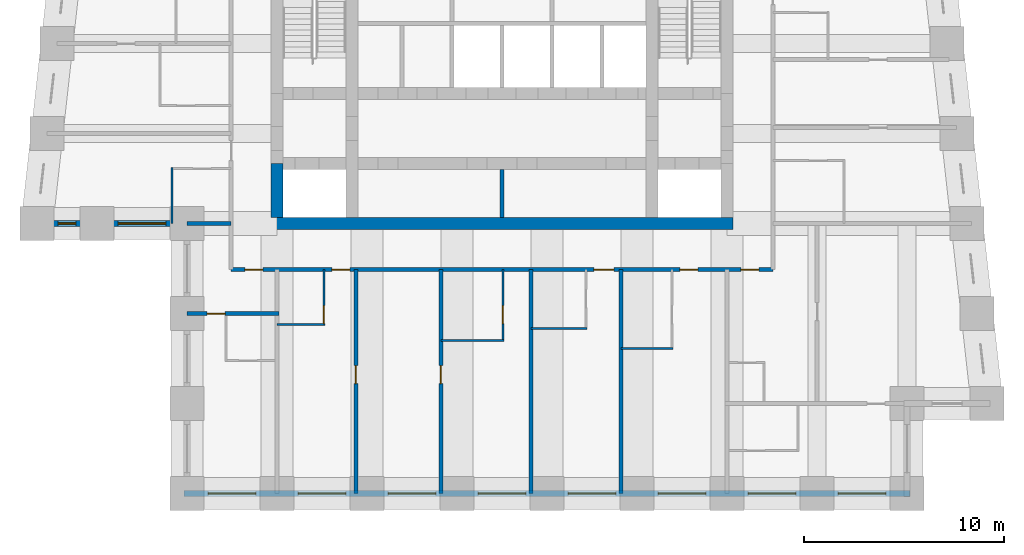
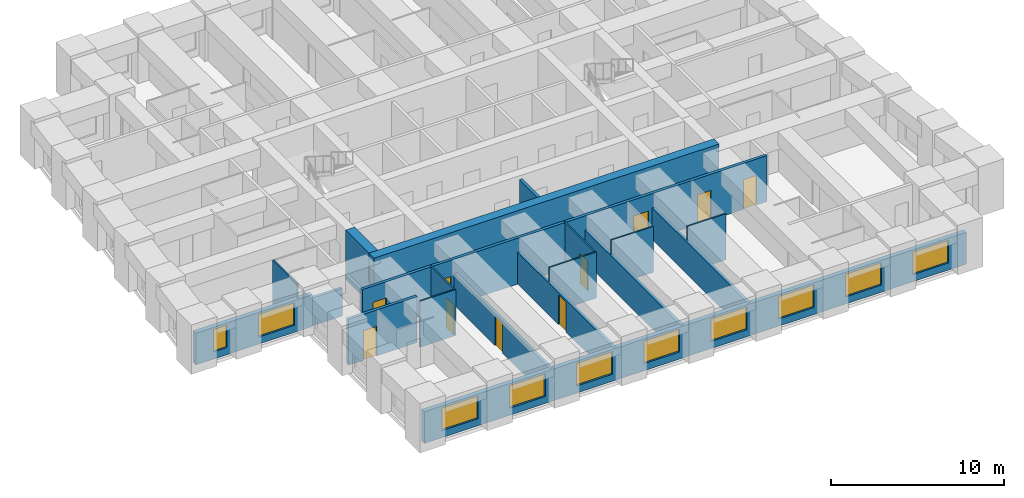
# One storey, part 2 of 8: 19 walls, 10 doors, 10 windows, 20 openings.
"""IFC4 building model written with IfcOpenShell, lengths in metres."""

from ifc_helpers import new_model, si_unit, direction, frame, frame_2d, origin, place, context, subcontext, project, spatial, rectangle, extrude, material, layer, layer_set, type_object, element, fill, save


model = new_model("IFC4")

# Units and contexts
model_context = context("Model", 3, precision=1e-05, world=origin(), true_north=direction((0.0, 1.0)))
body_context = subcontext(model_context, "Body", "Model", "MODEL_VIEW")
ifc_project = project(units=[si_unit("LENGTHUNIT", "METRE"), si_unit("AREAUNIT", "SQUARE_METRE"), si_unit("VOLUMEUNIT", "CUBIC_METRE"), si_unit("PLANEANGLEUNIT", "RADIAN"), si_unit("MASSUNIT", "GRAM", prefix="KILO")], contexts=[model_context])

# Site, building, storey
site_placement = place(None, origin())
site = spatial("IfcSite", under=ifc_project, at=site_placement, CompositionType="ELEMENT")
building_placement = place(site_placement, origin())
building = spatial("IfcBuilding", under=site, at=building_placement, Name="Kilele Tower Hotel", CompositionType="ELEMENT")
storey_placement = place(building_placement, frame((0.0, 0.0, 176.39990234375)))
storey = spatial("IfcBuildingStorey", under=building, at=storey_placement, Name="L45", CompositionType="ELEMENT", Elevation=176.39990234375)

# Wall
ifc_material_1 = material(Name="Moisture-resistant board")
ifc_layer_1 = layer(ifc_material_1, 0.10009765625)
ifc_layer_set_1 = layer_set([ifc_layer_1], Name="Moisture-resistant board")
wall_type_1 = type_object("IfcWallType", Name="Bathroom partition 100", PredefinedType="PLUMBINGWALL", material=ifc_layer_set_1)
wall_1_placement = place(storey_placement, frame((13.5, 8.449951171875, 0.0), z_axis=(0.0, 0.0, 1.0), x_axis=(1.0, 0.0, 0.0)))
element("IfcWall", 1, at=wall_1_placement, inside=storey, type_object=wall_type_1, Name="Bathroom partition 100 L45", PredefinedType="PLUMBINGWALL", context=body_context, shape_type="SweptSolid", body=[
    extrude(rectangle(XDim=2.39990234375, YDim=0.10009765625, at=frame_2d((1.199951171875, 0.0))), origin(), (0.0, 0.0, 1.0), 3.25),
])

# Wall, opening, door
wall_2_placement = place(storey_placement, frame((15.85009765625, 11.199951171875, 0.0), z_axis=(0.0, 0.0, 1.0), x_axis=(0.0, -1.0, 0.0)))
wall_2 = element("IfcWall", 2, at=wall_2_placement, inside=storey, type_object=wall_type_1, Name="Bathroom partition 100 L45", PredefinedType="PLUMBINGWALL", context=body_context, shape_type="SweptSolid", body=[
    extrude(rectangle(XDim=2.800048828125, YDim=0.10009765625, at=frame_2d((1.39990234375, 0.0))), origin(), (0.0, 0.0, 1.0), 3.25),
])
opening_1_placement = place(wall_2_placement, frame((1.800048828125, 0.0, 0.0)))
opening_1 = element("IfcOpeningElement", 3, at=opening_1_placement, cuts=wall_2, Name="Opening D2A", PredefinedType="OPENING", context=body_context, shape_type="SweptSolid", body=[
    extrude(rectangle(XDim=0.89990234375, YDim=2.10009765625, at=frame_2d((0.449951171875, 1.050048828125))), frame((0.0, 0.06005859375, 0.0), z_axis=(0.0, -1.0, 0.0), x_axis=(1.0, 0.0, 0.0)), (0.0, 0.0, 1.0), 0.1201171875),
])
ifc_material_2 = material(Name="Timber door leaf in hardwood frame", Category="wood")
door_type_1 = type_object("IfcDoorType", Name="Bathroom door 900", OperationType="SINGLE_SWING_LEFT", PredefinedType="DOOR", material=ifc_material_2)
door_1_placement = place(opening_1_placement, origin())
door_1 = element("IfcDoor", 4, at=door_1_placement, inside=storey, type_object=door_type_1, Name="Bathroom door 4501B", OperationType="SINGLE_SWING_RIGHT", OverallHeight=2.10009765625, OverallWidth=0.89990234375, PredefinedType="DOOR", context=body_context, shape_type="SweptSolid", body=[
    extrude(rectangle(XDim=0.89990234375, YDim=2.10009765625, at=frame_2d((0.449951171875, 1.050048828125))), frame((0.0, 0.02490234375, 0.0), z_axis=(0.0, -1.0, 0.0), x_axis=(1.0, 0.0, 0.0)), (0.0, 0.0, 1.0), 0.050048828125),
])
fill(opening_1, door_1)

# Wall
wall_3_placement = place(storey_placement, frame((21.699951171875, 7.64990234375, 0.0), z_axis=(0.0, 0.0, 1.0), x_axis=(1.0, 0.0, 0.0)))
element("IfcWall", 5, at=wall_3_placement, inside=storey, type_object=wall_type_1, Name="Bathroom partition 100 L45", PredefinedType="PLUMBINGWALL", context=body_context, shape_type="SweptSolid", body=[
    extrude(rectangle(XDim=3.150146484375, YDim=0.10009765625, at=frame_2d((1.5751953125, 0.0))), origin(), (0.0, 0.0, 1.0), 3.25),
])

# Wall, opening, door
wall_4_placement = place(storey_placement, frame((24.800048828125, 11.199951171875, 0.0), z_axis=(0.0, 0.0, 1.0), x_axis=(0.0, -1.0, 0.0)))
wall_4 = element("IfcWall", 6, at=wall_4_placement, inside=storey, type_object=wall_type_1, Name="Bathroom partition 100 L45", PredefinedType="PLUMBINGWALL", context=body_context, shape_type="SweptSolid", body=[
    extrude(rectangle(XDim=3.599853515625, YDim=0.10009765625, at=frame_2d((1.7998046875, 0.0))), origin(), (0.0, 0.0, 1.0), 3.25),
])
opening_2_placement = place(wall_4_placement, frame((1.800048828125, 0.0, 0.0)))
opening_2 = element("IfcOpeningElement", 7, at=opening_2_placement, cuts=wall_4, Name="Opening D2A", PredefinedType="OPENING", context=body_context, shape_type="SweptSolid", body=[
    extrude(rectangle(XDim=0.89990234375, YDim=2.10009765625, at=frame_2d((0.449951171875, 1.050048828125))), frame((0.0, 0.06005859375, 0.0), z_axis=(0.0, -1.0, 0.0), x_axis=(1.0, 0.0, 0.0)), (0.0, 0.0, 1.0), 0.1201171875),
])
door_2_placement = place(opening_2_placement, origin())
door_2 = element("IfcDoor", 8, at=door_2_placement, inside=storey, type_object=door_type_1, Name="Bathroom door 4503B", OperationType="SINGLE_SWING_RIGHT", OverallHeight=2.10009765625, OverallWidth=0.89990234375, PredefinedType="DOOR", context=body_context, shape_type="SweptSolid", body=[
    extrude(rectangle(XDim=0.89990234375, YDim=2.10009765625, at=frame_2d((0.449951171875, 1.050048828125))), frame((0.0, 0.02490234375, 0.0), z_axis=(0.0, -1.0, 0.0), x_axis=(1.0, 0.0, 0.0)), (0.0, 0.0, 1.0), 0.050048828125),
])
fill(opening_2, door_2)

# Walls
wall_5_placement = place(storey_placement, frame((26.199951171875, 8.25, 0.0), z_axis=(0.0, 0.0, 1.0), x_axis=(1.0, 0.0, 0.0)))
element("IfcWall", 9, at=wall_5_placement, inside=storey, type_object=wall_type_1, Name="Bathroom partition 100 L45", PredefinedType="PLUMBINGWALL", context=body_context, shape_type="SweptSolid", body=[
    extrude(rectangle(XDim=2.800048828125, YDim=0.10009765625, at=frame_2d((1.39990234375, 0.0))), origin(), (0.0, 0.0, 1.0), 3.25),
])
wall_6_placement = place(storey_placement, frame((30.699951171875, 7.25, 0.0), z_axis=(0.0, 0.0, 1.0), x_axis=(1.0, 0.0, 0.0)))
element("IfcWall", 10, at=wall_6_placement, inside=storey, type_object=wall_type_1, Name="Bathroom partition 100 L45", PredefinedType="PLUMBINGWALL", context=body_context, shape_type="SweptSolid", body=[
    extrude(rectangle(XDim=2.60009765625, YDim=0.10009765625, at=frame_2d((1.300048828125, 0.0))), origin(), (0.0, 0.0, 1.0), 3.25),
])
wall_7_placement = place(storey_placement, frame((8.25, 13.5, 0.0), z_axis=(0.0, 0.0, 1.0), x_axis=(0.0, 1.0, 0.0)))
element("IfcWall", 11, at=wall_7_placement, inside=storey, type_object=wall_type_1, Name="Bathroom partition 100 L45", PredefinedType="PLUMBINGWALL", context=body_context, shape_type="SweptSolid", body=[
    extrude(rectangle(XDim=2.800048828125, YDim=0.10009765625, at=frame_2d((1.39990234375, 0.0))), origin(), (0.0, 0.0, 1.0), 3.25),
])
ifc_material_3 = material(Name="Concrete C70/85", Category="concrete")
ifc_layer_2 = layer(ifc_material_3, 0.60009765625)
ifc_layer_set_2 = layer_set([ifc_layer_2], Name="Concrete C70/85")
wall_type_2 = type_object("IfcWallType", Name="Core wall 600 C70/85", PredefinedType="SHEAR", material=ifc_layer_set_2)
wall_8_placement = place(storey_placement, frame((13.199951171875, 13.5, 0.0), z_axis=(0.0, 0.0, 1.0), x_axis=(1.0, 0.0, 0.0)))
element("IfcWall", 12, at=wall_8_placement, inside=storey, type_object=wall_type_2, Name="Core wall S L45", PredefinedType="SHEAR", context=body_context, shape_type="SweptSolid", body=[
    extrude(rectangle(XDim=23.10009765625, YDim=0.60009765625, at=frame_2d((11.550048828125, 0.0))), origin(), (0.0, 0.0, 1.0), 3.5),
])
wall_9_placement = place(storey_placement, frame((13.5, 16.5, 0.0), z_axis=(0.0, 0.0, 1.0), x_axis=(0.0, -1.0, 0.0)))
element("IfcWall", 13, at=wall_9_placement, inside=storey, type_object=wall_type_2, Name="Core wall W3 L45", PredefinedType="SHEAR", context=body_context, shape_type="SweptSolid", body=[
    extrude(rectangle(XDim=2.699951171875, YDim=0.60009765625, at=frame_2d((1.35009765625, 0.0))), origin(), (0.0, 0.0, 1.0), 3.5),
])

# Wall, openings, doors
ifc_material_4 = material(Name="Blockwork, plastered both sides", Category="masonry")
ifc_layer_3 = layer(ifc_material_4, 0.199951171875)
ifc_layer_set_3 = layer_set([ifc_layer_3], Name="Blockwork, plastered both sides")
wall_type_3 = type_object("IfcWallType", Name="Corridor wall 200", PredefinedType="PARTITIONING", material=ifc_layer_set_3)
wall_10_placement = place(storey_placement, frame((11.199951171875, 11.199951171875, 0.0), z_axis=(0.0, 0.0, 1.0), x_axis=(1.0, 0.0, 0.0)))
wall_10 = element("IfcWall", 14, at=wall_10_placement, inside=storey, type_object=wall_type_3, Name="Corridor wall 200 L45", PredefinedType="PARTITIONING", context=body_context, shape_type="SweptSolid", body=[
    extrude(rectangle(XDim=27.10009765625, YDim=0.199951171875, at=frame_2d((13.550048828125, 0.0))), origin(), (0.0, 0.0, 1.0), 3.25),
])
opening_3_placement = place(wall_10_placement, frame((5.949951171875, 0.0, 0.0), z_axis=(0.0, 0.0, 1.0), x_axis=(-1.0, 0.0, 0.0)))
opening_3 = element("IfcOpeningElement", 15, at=opening_3_placement, cuts=wall_10, Name="Opening D1", PredefinedType="OPENING", context=body_context, shape_type="SweptSolid", body=[
    extrude(rectangle(XDim=0.89990234375, YDim=2.10009765625, at=frame_2d((0.449951171875, 1.050048828125))), frame((0.0, 0.10986328125, 0.0), z_axis=(0.0, -1.0, 0.0), x_axis=(1.0, 0.0, 0.0)), (0.0, 0.0, 1.0), 0.219970703125),
])
opening_4_placement = place(wall_10_placement, frame((19.14990234375, 0.0, 0.0), z_axis=(0.0, 0.0, 1.0), x_axis=(-1.0, 0.0, 0.0)))
opening_4 = element("IfcOpeningElement", 16, at=opening_4_placement, cuts=wall_10, Name="Opening D1A", PredefinedType="OPENING", context=body_context, shape_type="SweptSolid", body=[
    extrude(rectangle(XDim=1.0, YDim=2.10009765625, at=frame_2d((0.5, 1.050048828125))), frame((0.0, 0.10986328125, 0.0), z_axis=(0.0, -1.0, 0.0), x_axis=(1.0, 0.0, 0.0)), (0.0, 0.0, 1.0), 0.219970703125),
])
opening_5_placement = place(wall_10_placement, frame((23.349853515625, 0.0, 0.0), z_axis=(0.0, 0.0, 1.0), x_axis=(-1.0, 0.0, 0.0)))
opening_5 = element("IfcOpeningElement", 17, at=opening_5_placement, cuts=wall_10, Name="Opening D1", PredefinedType="OPENING", context=body_context, shape_type="SweptSolid", body=[
    extrude(rectangle(XDim=0.89990234375, YDim=2.10009765625, at=frame_2d((0.449951171875, 1.050048828125))), frame((0.0, 0.10986328125, 0.0), z_axis=(0.0, -1.0, 0.0), x_axis=(1.0, 0.0, 0.0)), (0.0, 0.0, 1.0), 0.219970703125),
])
opening_6_placement = place(wall_10_placement, frame((1.599853515625, 0.0, 0.0), z_axis=(0.0, 0.0, 1.0), x_axis=(-1.0, 0.0, 0.0)))
opening_6 = element("IfcOpeningElement", 18, at=opening_6_placement, cuts=wall_10, Name="Opening D1", PredefinedType="OPENING", context=body_context, shape_type="SweptSolid", body=[
    extrude(rectangle(XDim=0.89990234375, YDim=2.10009765625, at=frame_2d((0.449951171875, 1.050048828125))), frame((0.0, 0.10986328125, 0.0), z_axis=(0.0, -1.0, 0.0), x_axis=(1.0, 0.0, 0.0)), (0.0, 0.0, 1.0), 0.219970703125),
])
opening_7_placement = place(wall_10_placement, frame((26.39990234375, 0.0, 0.0), z_axis=(0.0, 0.0, 1.0), x_axis=(-1.0, 0.0, 0.0)))
opening_7 = element("IfcOpeningElement", 19, at=opening_7_placement, cuts=wall_10, Name="Opening D1", PredefinedType="OPENING", context=body_context, shape_type="SweptSolid", body=[
    extrude(rectangle(XDim=0.89990234375, YDim=2.10009765625, at=frame_2d((0.449951171875, 1.050048828125))), frame((0.0, 0.10986328125, 0.0), z_axis=(0.0, -1.0, 0.0), x_axis=(1.0, 0.0, 0.0)), (0.0, 0.0, 1.0), 0.219970703125),
])
ifc_material_5 = material(Name="Timber door leaf in hardwood frame", Category="wood")
door_type_2 = type_object("IfcDoorType", Name="Guest room entrance door 1000", OperationType="SINGLE_SWING_LEFT", PredefinedType="DOOR", material=ifc_material_5)
door_3_placement = place(opening_4_placement, origin())
door_3 = element("IfcDoor", 20, at=door_3_placement, inside=storey, type_object=door_type_2, Name="Room entrance 4504", OperationType="SINGLE_SWING_LEFT", OverallHeight=2.10009765625, OverallWidth=1.0, PredefinedType="DOOR", context=body_context, shape_type="SweptSolid", body=[
    extrude(rectangle(XDim=1.0, YDim=2.10009765625, at=frame_2d((0.5, 1.050048828125))), frame((0.0, 0.02490234375, 0.0), z_axis=(0.0, -1.0, 0.0), x_axis=(1.0, 0.0, 0.0)), (0.0, 0.0, 1.0), 0.050048828125),
])
fill(opening_4, door_3)
ifc_material_6 = material(Name="Timber door leaf in hardwood frame", Category="wood")
door_type_3 = type_object("IfcDoorType", Name="Guest room entrance door 900", OperationType="SINGLE_SWING_LEFT", PredefinedType="DOOR", material=ifc_material_6)
door_4_placement = place(opening_3_placement, origin())
door_4 = element("IfcDoor", 21, at=door_4_placement, inside=storey, type_object=door_type_3, Name="Room entrance 4501", OperationType="SINGLE_SWING_LEFT", OverallHeight=2.10009765625, OverallWidth=0.89990234375, PredefinedType="DOOR", context=body_context, shape_type="SweptSolid", body=[
    extrude(rectangle(XDim=0.89990234375, YDim=2.10009765625, at=frame_2d((0.449951171875, 1.050048828125))), frame((0.0, 0.02490234375, 0.0), z_axis=(0.0, -1.0, 0.0), x_axis=(1.0, 0.0, 0.0)), (0.0, 0.0, 1.0), 0.050048828125),
])
fill(opening_3, door_4)
door_5_placement = place(opening_5_placement, origin())
door_5 = element("IfcDoor", 22, at=door_5_placement, inside=storey, type_object=door_type_3, Name="Room entrance 4505", OperationType="SINGLE_SWING_RIGHT", OverallHeight=2.10009765625, OverallWidth=0.89990234375, PredefinedType="DOOR", context=body_context, shape_type="SweptSolid", body=[
    extrude(rectangle(XDim=0.89990234375, YDim=2.10009765625, at=frame_2d((0.449951171875, 1.050048828125))), frame((0.0, 0.02490234375, 0.0), z_axis=(0.0, -1.0, 0.0), x_axis=(1.0, 0.0, 0.0)), (0.0, 0.0, 1.0), 0.050048828125),
])
fill(opening_5, door_5)
door_6_placement = place(opening_6_placement, origin())
door_6 = element("IfcDoor", 23, at=door_6_placement, inside=storey, type_object=door_type_3, Name="Room entrance 4517", OperationType="SINGLE_SWING_LEFT", OverallHeight=2.10009765625, OverallWidth=0.89990234375, PredefinedType="DOOR", context=body_context, shape_type="SweptSolid", body=[
    extrude(rectangle(XDim=0.89990234375, YDim=2.10009765625, at=frame_2d((0.449951171875, 1.050048828125))), frame((0.0, 0.02490234375, 0.0), z_axis=(0.0, -1.0, 0.0), x_axis=(1.0, 0.0, 0.0)), (0.0, 0.0, 1.0), 0.050048828125),
])
fill(opening_6, door_6)
door_7_placement = place(opening_7_placement, origin())
door_7 = element("IfcDoor", 24, at=door_7_placement, inside=storey, type_object=door_type_3, Name="Room entrance 4519", OperationType="SINGLE_SWING_RIGHT", OverallHeight=2.10009765625, OverallWidth=0.89990234375, PredefinedType="DOOR", context=body_context, shape_type="SweptSolid", body=[
    extrude(rectangle(XDim=0.89990234375, YDim=2.10009765625, at=frame_2d((0.449951171875, 1.050048828125))), frame((0.0, 0.02490234375, 0.0), z_axis=(0.0, -1.0, 0.0), x_axis=(1.0, 0.0, 0.0)), (0.0, 0.0, 1.0), 0.050048828125),
])
fill(opening_7, door_7)

# Wall, opening, door
ifc_material_7 = material(Name="Blockwork, plastered both sides", Category="masonry")
ifc_layer_4 = layer(ifc_material_7, 0.199951171875)
ifc_layer_set_4 = layer_set([ifc_layer_4], Name="Blockwork, plastered both sides")
wall_type_4 = type_object("IfcWallType", Name="Party wall 200", PredefinedType="PARTITIONING", material=ifc_layer_set_4)
wall_11_placement = place(storey_placement, frame((17.449951171875, 11.199951171875, 0.0), z_axis=(0.0, 0.0, 1.0), x_axis=(0.0, -1.0, 0.0)))
wall_11 = element("IfcWall", 25, at=wall_11_placement, inside=storey, type_object=wall_type_4, Name="Party wall 200 L45", PredefinedType="PARTITIONING", context=body_context, shape_type="SweptSolid", body=[
    extrude(rectangle(XDim=11.199951171875, YDim=0.199951171875, at=frame_2d((5.60009765625, 0.0))), origin(), (0.0, 0.0, 1.0), 2.25),
])
opening_8_placement = place(wall_11_placement, frame((4.800048828125, 0.0, 0.0)))
opening_8 = element("IfcOpeningElement", 26, at=opening_8_placement, cuts=wall_11, Name="Opening D3", PredefinedType="OPENING", context=body_context, shape_type="SweptSolid", body=[
    extrude(rectangle(XDim=0.89990234375, YDim=2.10009765625, at=frame_2d((0.449951171875, 1.050048828125))), frame((0.0, 0.10986328125, 0.0), z_axis=(0.0, -1.0, 0.0), x_axis=(1.0, 0.0, 0.0)), (0.0, 0.0, 1.0), 0.219970703125),
])
ifc_material_8 = material(Name="Timber door leaf in hardwood frame", Category="wood")
door_type_4 = type_object("IfcDoorType", Name="Suite internal door 900", OperationType="SINGLE_SWING_LEFT", PredefinedType="DOOR", material=ifc_material_8)
door_8_placement = place(opening_8_placement, origin())
door_8 = element("IfcDoor", 27, at=door_8_placement, inside=storey, type_object=door_type_4, Name="Suite door 4502", OperationType="SINGLE_SWING_LEFT", OverallHeight=2.10009765625, OverallWidth=0.89990234375, PredefinedType="DOOR", context=body_context, shape_type="SweptSolid", body=[
    extrude(rectangle(XDim=0.89990234375, YDim=2.10009765625, at=frame_2d((0.449951171875, 1.050048828125))), frame((0.0, 0.02490234375, 0.0), z_axis=(0.0, -1.0, 0.0), x_axis=(1.0, 0.0, 0.0)), (0.0, 0.0, 1.0), 0.050048828125),
])
fill(opening_8, door_8)

wall_12_placement = place(storey_placement, frame((21.699951171875, 11.199951171875, 0.0), z_axis=(0.0, 0.0, 1.0), x_axis=(0.0, -1.0, 0.0)))
wall_12 = element("IfcWall", 28, at=wall_12_placement, inside=storey, type_object=wall_type_4, Name="Party wall 200 L45", PredefinedType="PARTITIONING", context=body_context, shape_type="SweptSolid", body=[
    extrude(rectangle(XDim=11.199951171875, YDim=0.199951171875, at=frame_2d((5.60009765625, 0.0))), origin(), (0.0, 0.0, 1.0), 2.25),
])
opening_9_placement = place(wall_12_placement, frame((4.800048828125, 0.0, 0.0)))
opening_9 = element("IfcOpeningElement", 29, at=opening_9_placement, cuts=wall_12, Name="Opening D3", PredefinedType="OPENING", context=body_context, shape_type="SweptSolid", body=[
    extrude(rectangle(XDim=0.89990234375, YDim=2.10009765625, at=frame_2d((0.449951171875, 1.050048828125))), frame((0.0, 0.10986328125, 0.0), z_axis=(0.0, -1.0, 0.0), x_axis=(1.0, 0.0, 0.0)), (0.0, 0.0, 1.0), 0.219970703125),
])
door_9_placement = place(opening_9_placement, origin())
door_9 = element("IfcDoor", 30, at=door_9_placement, inside=storey, type_object=door_type_4, Name="Suite door 4503", OperationType="SINGLE_SWING_LEFT", OverallHeight=2.10009765625, OverallWidth=0.89990234375, PredefinedType="DOOR", context=body_context, shape_type="SweptSolid", body=[
    extrude(rectangle(XDim=0.89990234375, YDim=2.10009765625, at=frame_2d((0.449951171875, 1.050048828125))), frame((0.0, 0.02490234375, 0.0), z_axis=(0.0, -1.0, 0.0), x_axis=(1.0, 0.0, 0.0)), (0.0, 0.0, 1.0), 0.050048828125),
])
fill(opening_9, door_9)

# Walls
for number, where, z_axis, x_axis, name in (
    (31, (26.199951171875, 11.199951171875, 0.0), (0.0, 0.0, 1.0), (0.0, -1.0, 0.0), "Party wall 200 L45"),
    (32, (30.699951171875, 11.199951171875, 0.0), (0.0, 0.0, 1.0), (0.0, -1.0, 0.0), "Party wall 200 L45"),
):
    element("IfcWall", number, at=place(storey_placement, frame(where, z_axis=z_axis, x_axis=x_axis)), inside=storey, type_object=wall_type_4, Name=name, PredefinedType="PARTITIONING", context=body_context, shape_type="SweptSolid", body=[
        extrude(rectangle(XDim=11.199951171875, YDim=0.199951171875, at=frame_2d((5.60009765625, 0.0))), origin(), (0.0, 0.0, 1.0), 2.25),
    ])
wall_13_placement = place(storey_placement, frame((11.199951171875, 13.5, 0.0), z_axis=(0.0, 0.0, 1.0), x_axis=(-1.0, 0.0, 0.0)))
element("IfcWall", 33, at=wall_13_placement, inside=storey, type_object=wall_type_4, Name="Party wall 200 L45", PredefinedType="PARTITIONING", context=body_context, shape_type="SweptSolid", body=[
    extrude(rectangle(XDim=2.199951171875, YDim=0.199951171875, at=frame_2d((1.10009765625, 0.0))), origin(), (0.0, 0.0, 1.0), 1.9501953125),
])

# Wall, opening, door
wall_14_placement = place(storey_placement, frame((13.60009765625, 9.0, 0.0), z_axis=(0.0, 0.0, 1.0), x_axis=(-1.0, 0.0, 0.0)))
wall_14 = element("IfcWall", 34, at=wall_14_placement, inside=storey, type_object=wall_type_4, Name="Party wall 200 L45", PredefinedType="PARTITIONING", context=body_context, shape_type="SweptSolid", body=[
    extrude(rectangle(XDim=4.60009765625, YDim=0.199951171875, at=frame_2d((2.300048828125, 0.0))), origin(), (0.0, 0.0, 1.0), 3.25),
])
opening_10_placement = place(wall_14_placement, frame((2.699951171875, 0.0, 0.0)))
opening_10 = element("IfcOpeningElement", 35, at=opening_10_placement, cuts=wall_14, Name="Opening D3", PredefinedType="OPENING", context=body_context, shape_type="SweptSolid", body=[
    extrude(rectangle(XDim=0.89990234375, YDim=2.10009765625, at=frame_2d((0.449951171875, 1.050048828125))), frame((0.0, 0.10986328125, 0.0), z_axis=(0.0, -1.0, 0.0), x_axis=(1.0, 0.0, 0.0)), (0.0, 0.0, 1.0), 0.219970703125),
])
door_10_placement = place(opening_10_placement, origin())
door_10 = element("IfcDoor", 36, at=door_10_placement, inside=storey, type_object=door_type_4, Name="Suite door 4518", OperationType="SINGLE_SWING_LEFT", OverallHeight=2.10009765625, OverallWidth=0.89990234375, PredefinedType="DOOR", context=body_context, shape_type="SweptSolid", body=[
    extrude(rectangle(XDim=0.89990234375, YDim=2.10009765625, at=frame_2d((0.449951171875, 1.050048828125))), frame((0.0, 0.02490234375, 0.0), z_axis=(0.0, -1.0, 0.0), x_axis=(1.0, 0.0, 0.0)), (0.0, 0.0, 1.0), 0.050048828125),
])
fill(opening_10, door_10)

# Wall, openings, windows
ifc_material_9 = material(Name="Concrete C40/50 precast", Category="concrete")
ifc_layer_5 = layer(ifc_material_9, 0.260009765625, Name="Precast backing", Category="LoadBearing")
ifc_material_10 = material(Name="Reconstituted stone finish", Category="masonry")
ifc_layer_6 = layer(ifc_material_10, 0.0400390625, Name="Face mix", Category="Finish")
ifc_layer_set_5 = layer_set([ifc_layer_5, ifc_layer_6], Name="Precast concrete C40/50, reconstituted stone finish")
wall_type_5 = type_object("IfcWallType", Name="Precast stone facade wall 300", PredefinedType="STANDARD", material=ifc_layer_set_5)
wall_15_placement = place(storey_placement, frame((1.35009765625, 13.5, 0.0), z_axis=(0.0, 0.0, 1.0), x_axis=(1.0, 0.0, 0.0)))
wall_15 = element("IfcWall", 37, at=wall_15_placement, inside=storey, type_object=wall_type_5, Name="Facade wall L45 edge 1", PredefinedType="STANDARD", context=body_context, shape_type="SweptSolid", body=[
    extrude(rectangle(XDim=7.7998046875, YDim=0.300048828125, at=frame_2d((3.89990234375, 0.0))), origin(), (0.0, 0.0, 1.0), 2.25),
])
opening_11_placement = place(wall_15_placement, frame((1.199951171875, 0.0, 0.5)))
opening_11 = element("IfcOpeningElement", 38, at=opening_11_placement, cuts=wall_15, Name="Opening W3", PredefinedType="OPENING", context=body_context, shape_type="SweptSolid", body=[
    extrude(rectangle(XDim=0.89990234375, YDim=1.60009765625, at=frame_2d((0.449951171875, 0.800048828125))), frame((0.0, 0.159912109375, 0.0), z_axis=(0.0, -1.0, 0.0), x_axis=(1.0, 0.0, 0.0)), (0.0, 0.0, 1.0), 0.320068359375),
])
opening_12_placement = place(wall_15_placement, frame((4.199951171875, 0.0, 0.5)))
opening_12 = element("IfcOpeningElement", 39, at=opening_12_placement, cuts=wall_15, Name="Opening W3", PredefinedType="OPENING", context=body_context, shape_type="SweptSolid", body=[
    extrude(rectangle(XDim=2.39990234375, YDim=1.60009765625, at=frame_2d((1.199951171875, 0.800048828125))), frame((0.0, 0.159912109375, 0.0), z_axis=(0.0, -1.0, 0.0), x_axis=(1.0, 0.0, 0.0)), (0.0, 0.0, 1.0), 0.320068359375),
])
ifc_material_11 = material(Name="Aluminium frame, clear double glazing", Category="aluminium")
window_type_1 = type_object("IfcWindowType", Name="Window W3 2400 x 1600", PartitioningType="SINGLE_PANEL", PredefinedType="WINDOW", material=ifc_material_11)
window_1_placement = place(opening_12_placement, origin())
window_1 = element("IfcWindow", 40, at=window_1_placement, inside=storey, type_object=window_type_1, Name="Window L45", OverallHeight=1.60009765625, OverallWidth=2.39990234375, PartitioningType="SINGLE_PANEL", PredefinedType="WINDOW", context=body_context, shape_type="SweptSolid", body=[
    extrude(rectangle(XDim=2.39990234375, YDim=1.60009765625, at=frame_2d((1.199951171875, 0.800048828125))), frame((0.0, 0.030029296875, 0.0), z_axis=(0.0, -1.0, 0.0), x_axis=(1.0, 0.0, 0.0)), (0.0, 0.0, 1.0), 0.06005859375),
])
fill(opening_12, window_1)
ifc_material_12 = material(Name="Aluminium frame, clear double glazing", Category="aluminium")
window_type_2 = type_object("IfcWindowType", Name="Window W3 900 x 1600", PartitioningType="SINGLE_PANEL", PredefinedType="WINDOW", material=ifc_material_12)
window_2_placement = place(opening_11_placement, origin())
window_2 = element("IfcWindow", 41, at=window_2_placement, inside=storey, type_object=window_type_2, Name="Window L45", OverallHeight=1.60009765625, OverallWidth=0.89990234375, PartitioningType="SINGLE_PANEL", PredefinedType="WINDOW", context=body_context, shape_type="SweptSolid", body=[
    extrude(rectangle(XDim=0.89990234375, YDim=1.60009765625, at=frame_2d((0.449951171875, 0.800048828125))), frame((0.0, 0.030029296875, 0.0), z_axis=(0.0, -1.0, 0.0), x_axis=(1.0, 0.0, 0.0)), (0.0, 0.0, 1.0), 0.06005859375),
])
fill(opening_11, window_2)

wall_16_placement = place(storey_placement, frame((8.85009765625, 0.0, 0.0), z_axis=(0.0, 0.0, 1.0), x_axis=(1.0, 0.0, 0.0)))
wall_16 = element("IfcWall", 42, at=wall_16_placement, inside=storey, type_object=wall_type_5, Name="Facade wall L45 edge 3", PredefinedType="STANDARD", context=body_context, shape_type="SweptSolid", body=[
    extrude(rectangle(XDim=36.2998046875, YDim=0.300048828125, at=frame_2d((18.14990234375, 0.0))), origin(), (0.0, 0.0, 1.0), 2.25),
])
opening_13_placement = place(wall_16_placement, frame((1.199951171875, 0.0, 0.5)))
opening_13 = element("IfcOpeningElement", 43, at=opening_13_placement, cuts=wall_16, Name="Opening W3", PredefinedType="OPENING", context=body_context, shape_type="SweptSolid", body=[
    extrude(rectangle(XDim=2.39990234375, YDim=1.60009765625, at=frame_2d((1.199951171875, 0.800048828125))), frame((0.0, 0.159912109375, 0.0), z_axis=(0.0, -1.0, 0.0), x_axis=(1.0, 0.0, 0.0)), (0.0, 0.0, 1.0), 0.320068359375),
])
opening_14_placement = place(wall_16_placement, frame((5.699951171875, 0.0, 0.5)))
opening_14 = element("IfcOpeningElement", 44, at=opening_14_placement, cuts=wall_16, Name="Opening W3", PredefinedType="OPENING", context=body_context, shape_type="SweptSolid", body=[
    extrude(rectangle(XDim=2.39990234375, YDim=1.60009765625, at=frame_2d((1.199951171875, 0.800048828125))), frame((0.0, 0.159912109375, 0.0), z_axis=(0.0, -1.0, 0.0), x_axis=(1.0, 0.0, 0.0)), (0.0, 0.0, 1.0), 0.320068359375),
])
opening_15_placement = place(wall_16_placement, frame((10.199951171875, 0.0, 0.5)))
opening_15 = element("IfcOpeningElement", 45, at=opening_15_placement, cuts=wall_16, Name="Opening W3", PredefinedType="OPENING", context=body_context, shape_type="SweptSolid", body=[
    extrude(rectangle(XDim=2.39990234375, YDim=1.60009765625, at=frame_2d((1.199951171875, 0.800048828125))), frame((0.0, 0.159912109375, 0.0), z_axis=(0.0, -1.0, 0.0), x_axis=(1.0, 0.0, 0.0)), (0.0, 0.0, 1.0), 0.320068359375),
])
opening_16_placement = place(wall_16_placement, frame((14.699951171875, 0.0, 0.5)))
opening_16 = element("IfcOpeningElement", 46, at=opening_16_placement, cuts=wall_16, Name="Opening W3", PredefinedType="OPENING", context=body_context, shape_type="SweptSolid", body=[
    extrude(rectangle(XDim=2.39990234375, YDim=1.60009765625, at=frame_2d((1.199951171875, 0.800048828125))), frame((0.0, 0.159912109375, 0.0), z_axis=(0.0, -1.0, 0.0), x_axis=(1.0, 0.0, 0.0)), (0.0, 0.0, 1.0), 0.320068359375),
])
opening_17_placement = place(wall_16_placement, frame((19.199951171875, 0.0, 0.5)))
opening_17 = element("IfcOpeningElement", 47, at=opening_17_placement, cuts=wall_16, Name="Opening W3", PredefinedType="OPENING", context=body_context, shape_type="SweptSolid", body=[
    extrude(rectangle(XDim=2.39990234375, YDim=1.60009765625, at=frame_2d((1.199951171875, 0.800048828125))), frame((0.0, 0.159912109375, 0.0), z_axis=(0.0, -1.0, 0.0), x_axis=(1.0, 0.0, 0.0)), (0.0, 0.0, 1.0), 0.320068359375),
])
opening_18_placement = place(wall_16_placement, frame((23.699951171875, 0.0, 0.5)))
opening_18 = element("IfcOpeningElement", 48, at=opening_18_placement, cuts=wall_16, Name="Opening W3", PredefinedType="OPENING", context=body_context, shape_type="SweptSolid", body=[
    extrude(rectangle(XDim=2.39990234375, YDim=1.60009765625, at=frame_2d((1.199951171875, 0.800048828125))), frame((0.0, 0.159912109375, 0.0), z_axis=(0.0, -1.0, 0.0), x_axis=(1.0, 0.0, 0.0)), (0.0, 0.0, 1.0), 0.320068359375),
])
opening_19_placement = place(wall_16_placement, frame((28.199951171875, 0.0, 0.5)))
opening_19 = element("IfcOpeningElement", 49, at=opening_19_placement, cuts=wall_16, Name="Opening W3", PredefinedType="OPENING", context=body_context, shape_type="SweptSolid", body=[
    extrude(rectangle(XDim=2.39990234375, YDim=1.60009765625, at=frame_2d((1.199951171875, 0.800048828125))), frame((0.0, 0.159912109375, 0.0), z_axis=(0.0, -1.0, 0.0), x_axis=(1.0, 0.0, 0.0)), (0.0, 0.0, 1.0), 0.320068359375),
])
opening_20_placement = place(wall_16_placement, frame((32.699951171875, 0.0, 0.5)))
opening_20 = element("IfcOpeningElement", 50, at=opening_20_placement, cuts=wall_16, Name="Opening W3", PredefinedType="OPENING", context=body_context, shape_type="SweptSolid", body=[
    extrude(rectangle(XDim=2.39990234375, YDim=1.60009765625, at=frame_2d((1.199951171875, 0.800048828125))), frame((0.0, 0.159912109375, 0.0), z_axis=(0.0, -1.0, 0.0), x_axis=(1.0, 0.0, 0.0)), (0.0, 0.0, 1.0), 0.320068359375),
])
window_3_placement = place(opening_13_placement, origin())
window_3 = element("IfcWindow", 51, at=window_3_placement, inside=storey, type_object=window_type_1, Name="Window L45", OverallHeight=1.60009765625, OverallWidth=2.39990234375, PartitioningType="SINGLE_PANEL", PredefinedType="WINDOW", context=body_context, shape_type="SweptSolid", body=[
    extrude(rectangle(XDim=2.39990234375, YDim=1.60009765625, at=frame_2d((1.199951171875, 0.800048828125))), frame((0.0, 0.030029296875, 0.0), z_axis=(0.0, -1.0, 0.0), x_axis=(1.0, 0.0, 0.0)), (0.0, 0.0, 1.0), 0.06005859375),
])
fill(opening_13, window_3)
window_4_placement = place(opening_14_placement, origin())
window_4 = element("IfcWindow", 52, at=window_4_placement, inside=storey, type_object=window_type_1, Name="Window L45", OverallHeight=1.60009765625, OverallWidth=2.39990234375, PartitioningType="SINGLE_PANEL", PredefinedType="WINDOW", context=body_context, shape_type="SweptSolid", body=[
    extrude(rectangle(XDim=2.39990234375, YDim=1.60009765625, at=frame_2d((1.199951171875, 0.800048828125))), frame((0.0, 0.030029296875, 0.0), z_axis=(0.0, -1.0, 0.0), x_axis=(1.0, 0.0, 0.0)), (0.0, 0.0, 1.0), 0.06005859375),
])
fill(opening_14, window_4)
window_5_placement = place(opening_15_placement, origin())
window_5 = element("IfcWindow", 53, at=window_5_placement, inside=storey, type_object=window_type_1, Name="Window L45", OverallHeight=1.60009765625, OverallWidth=2.39990234375, PartitioningType="SINGLE_PANEL", PredefinedType="WINDOW", context=body_context, shape_type="SweptSolid", body=[
    extrude(rectangle(XDim=2.39990234375, YDim=1.60009765625, at=frame_2d((1.199951171875, 0.800048828125))), frame((0.0, 0.030029296875, 0.0), z_axis=(0.0, -1.0, 0.0), x_axis=(1.0, 0.0, 0.0)), (0.0, 0.0, 1.0), 0.06005859375),
])
fill(opening_15, window_5)
window_6_placement = place(opening_16_placement, origin())
window_6 = element("IfcWindow", 54, at=window_6_placement, inside=storey, type_object=window_type_1, Name="Window L45", OverallHeight=1.60009765625, OverallWidth=2.39990234375, PartitioningType="SINGLE_PANEL", PredefinedType="WINDOW", context=body_context, shape_type="SweptSolid", body=[
    extrude(rectangle(XDim=2.39990234375, YDim=1.60009765625, at=frame_2d((1.199951171875, 0.800048828125))), frame((0.0, 0.030029296875, 0.0), z_axis=(0.0, -1.0, 0.0), x_axis=(1.0, 0.0, 0.0)), (0.0, 0.0, 1.0), 0.06005859375),
])
fill(opening_16, window_6)
window_7_placement = place(opening_17_placement, origin())
window_7 = element("IfcWindow", 55, at=window_7_placement, inside=storey, type_object=window_type_1, Name="Window L45", OverallHeight=1.60009765625, OverallWidth=2.39990234375, PartitioningType="SINGLE_PANEL", PredefinedType="WINDOW", context=body_context, shape_type="SweptSolid", body=[
    extrude(rectangle(XDim=2.39990234375, YDim=1.60009765625, at=frame_2d((1.199951171875, 0.800048828125))), frame((0.0, 0.030029296875, 0.0), z_axis=(0.0, -1.0, 0.0), x_axis=(1.0, 0.0, 0.0)), (0.0, 0.0, 1.0), 0.06005859375),
])
fill(opening_17, window_7)
window_8_placement = place(opening_18_placement, origin())
window_8 = element("IfcWindow", 56, at=window_8_placement, inside=storey, type_object=window_type_1, Name="Window L45", OverallHeight=1.60009765625, OverallWidth=2.39990234375, PartitioningType="SINGLE_PANEL", PredefinedType="WINDOW", context=body_context, shape_type="SweptSolid", body=[
    extrude(rectangle(XDim=2.39990234375, YDim=1.60009765625, at=frame_2d((1.199951171875, 0.800048828125))), frame((0.0, 0.030029296875, 0.0), z_axis=(0.0, -1.0, 0.0), x_axis=(1.0, 0.0, 0.0)), (0.0, 0.0, 1.0), 0.06005859375),
])
fill(opening_18, window_8)
window_9_placement = place(opening_19_placement, origin())
window_9 = element("IfcWindow", 57, at=window_9_placement, inside=storey, type_object=window_type_1, Name="Window L45", OverallHeight=1.60009765625, OverallWidth=2.39990234375, PartitioningType="SINGLE_PANEL", PredefinedType="WINDOW", context=body_context, shape_type="SweptSolid", body=[
    extrude(rectangle(XDim=2.39990234375, YDim=1.60009765625, at=frame_2d((1.199951171875, 0.800048828125))), frame((0.0, 0.030029296875, 0.0), z_axis=(0.0, -1.0, 0.0), x_axis=(1.0, 0.0, 0.0)), (0.0, 0.0, 1.0), 0.06005859375),
])
fill(opening_19, window_9)
window_10_placement = place(opening_20_placement, origin())
window_10 = element("IfcWindow", 58, at=window_10_placement, inside=storey, type_object=window_type_1, Name="Window L45", OverallHeight=1.60009765625, OverallWidth=2.39990234375, PartitioningType="SINGLE_PANEL", PredefinedType="WINDOW", context=body_context, shape_type="SweptSolid", body=[
    extrude(rectangle(XDim=2.39990234375, YDim=1.60009765625, at=frame_2d((1.199951171875, 0.800048828125))), frame((0.0, 0.030029296875, 0.0), z_axis=(0.0, -1.0, 0.0), x_axis=(1.0, 0.0, 0.0)), (0.0, 0.0, 1.0), 0.06005859375),
])
fill(opening_20, window_10)

# Wall
ifc_material_13 = material(Name="Blockwork, fire-rated", Category="masonry")
ifc_layer_7 = layer(ifc_material_13, 0.199951171875)
ifc_layer_set_6 = layer_set([ifc_layer_7], Name="Blockwork, fire-rated")
wall_type_6 = type_object("IfcWallType", Name="Shaft wall 200", PredefinedType="PARTITIONING", material=ifc_layer_set_6)
wall_17_placement = place(storey_placement, frame((24.75, 13.800048828125, 0.0), z_axis=(0.0, 0.0, 1.0), x_axis=(0.0, 1.0, 0.0)))
element("IfcWall", 59, at=wall_17_placement, inside=storey, type_object=wall_type_6, Name="Shaft wall 200 L45", PredefinedType="PARTITIONING", context=body_context, shape_type="SweptSolid", body=[
    extrude(rectangle(XDim=2.39990234375, YDim=0.199951171875, at=frame_2d((1.199951171875, 0.0))), origin(), (0.0, 0.0, 1.0), 3.25),
])

save(model, "model.ifc")
